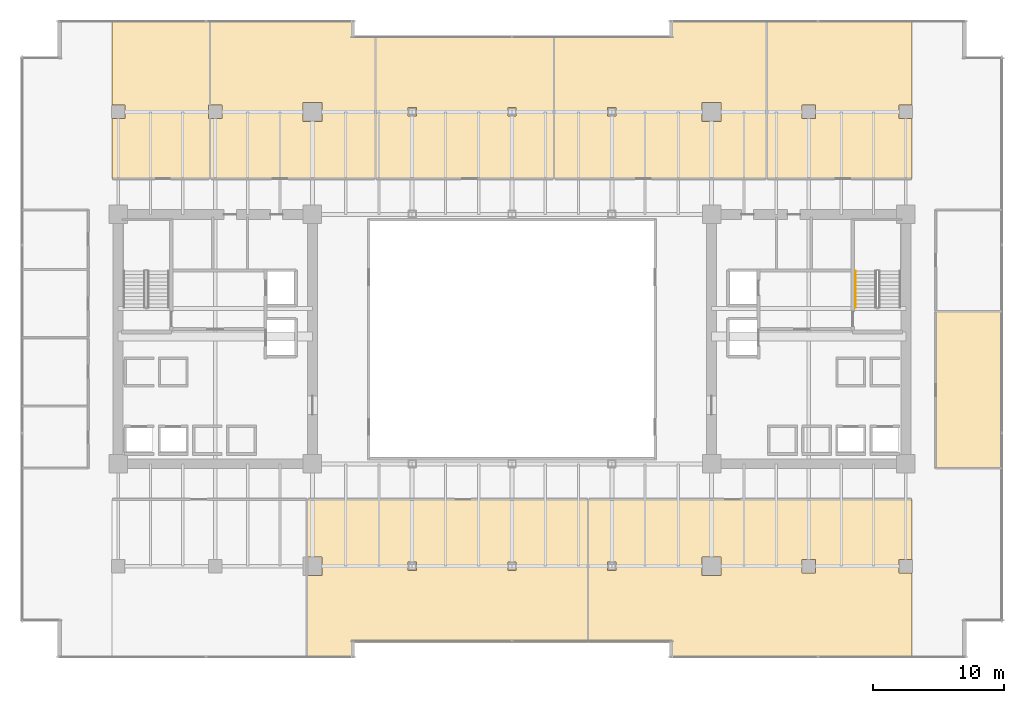
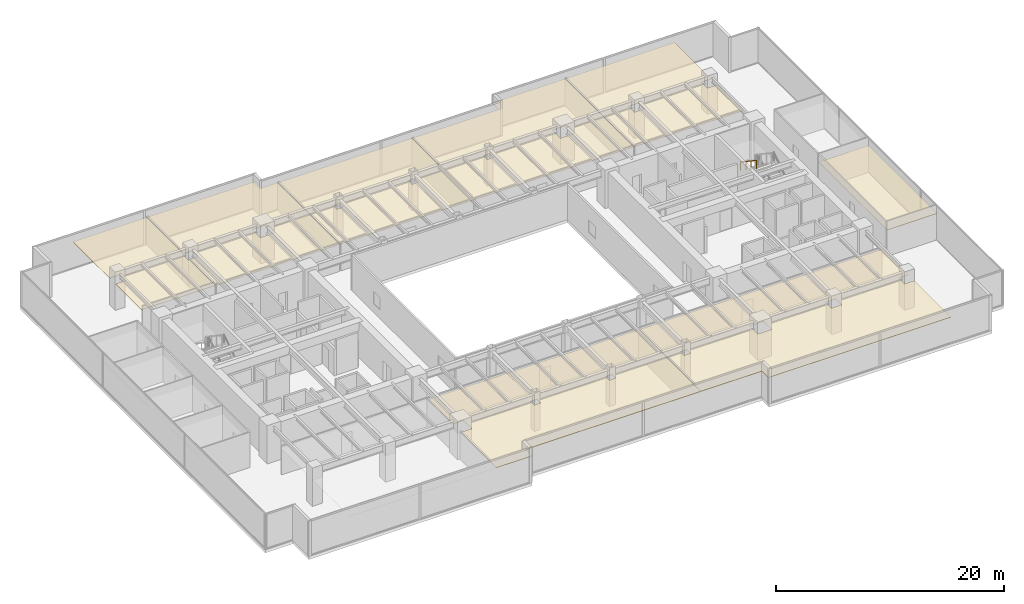
# One storey, part 35 of 36: 8 coverings, 1 railing.
"""IFC4 building model written with IfcOpenShell, lengths in metres."""

from ifc_helpers import new_model, si_unit, direction, frame, origin, origin_2d, place, context, subcontext, project, spatial, polyline, circle, outline, extrude, source, transform, mapped, material, layer, layer_set, type_object, type_shapes, element, save


model = new_model("IFC4")

# Units and contexts
model_context = context("Model", 3, precision=1e-05, world=origin(), true_north=direction((0.0, 1.0)))
body_context = subcontext(model_context, "Body", "Model", "MODEL_VIEW")
ifc_project = project(units=[si_unit("LENGTHUNIT", "METRE"), si_unit("AREAUNIT", "SQUARE_METRE"), si_unit("VOLUMEUNIT", "CUBIC_METRE"), si_unit("PLANEANGLEUNIT", "RADIAN"), si_unit("MASSUNIT", "GRAM", prefix="KILO")], contexts=[model_context])

# Site, building, storey
site_placement = place(None, origin())
site = spatial("IfcSite", under=ifc_project, at=site_placement, CompositionType="ELEMENT")
building_placement = place(site_placement, origin())
building = spatial("IfcBuilding", under=site, at=building_placement, Name="Haelvirn Gate Laboratories", CompositionType="ELEMENT")
storey_placement = place(building_placement, frame((0.0, 0.0, 53.89990234375)))
storey = spatial("IfcBuildingStorey", under=building, at=storey_placement, Name="L13", CompositionType="ELEMENT", Elevation=53.89990234375)

# Coverings
ifc_material_1 = material(Name="Washable cleanroom gasketed aluminium ceiling", Category="aluminium")
ifc_layer = layer(ifc_material_1, 0.050048828125, Name="COV-CEIL-CLN")
ifc_layer_set = layer_set([ifc_layer], Name="Washable cleanroom gasketed aluminium ceiling")
covering_type = type_object("IfcCoveringType", Name="COV-CEIL-CLN", PredefinedType="CEILING", material=ifc_layer_set)
covering_1_placement = place(storey_placement, frame((0.0, 0.0, 2.800048828125)))
element("IfcCovering", 1, at=covering_1_placement, inside=storey, type_object=covering_type, Name="L13 Laboratory Acoustic Ceiling CEIL-SP-L13-S-02", PredefinedType="CEILING", context=body_context, shape_type="SweptSolid", body=[
    extrude(outline(polyline([(43.179931640625, 1.179931640625), (25.419921875, 1.179931640625), (25.419921875, 0.050048828125), (21.820068359375, 0.050048828125), (21.820068359375, 6.280029296875), (22.919921875, 6.280029296875), (22.919921875, 7.719970703125), (21.820068359375, 7.719970703125), (21.820068359375, 12.080078125), (43.179931640625, 12.080078125), (43.179931640625, 1.179931640625)]), holes=[polyline([(29.47998046875, 7.320068359375), (29.47998046875, 6.679931640625), (30.1201171875, 6.679931640625), (30.1201171875, 7.320068359375), (29.47998046875, 7.320068359375)]), polyline([(37.719970703125, 7.320068359375), (37.080078125, 7.320068359375), (37.080078125, 6.679931640625), (37.719970703125, 6.679931640625), (37.719970703125, 7.320068359375)])]), origin(), (0.0, 0.0, 1.0), 0.050048828125),
])
covering_2_placement = place(storey_placement, frame((0.0, 0.0, 2.800048828125)))
element("IfcCovering", 2, at=covering_2_placement, inside=storey, type_object=covering_type, Name="L13 Laboratory Acoustic Ceiling CEIL-SP-L13-S-03", PredefinedType="CEILING", context=body_context, shape_type="SweptSolid", body=[
    extrude(outline(polyline([(67.8798828125, 7.52001953125), (66.8798828125, 7.52001953125), (66.8798828125, 6.47998046875), (67.8798828125, 6.47998046875), (67.8798828125, 0.050048828125), (49.3798828125, 0.050048828125), (49.3798828125, 1.179931640625), (43.219970703125, 1.179931640625), (43.219970703125, 12.080078125), (67.8798828125, 12.080078125), (67.8798828125, 7.52001953125)]), holes=[polyline([(53.320068359375, 6.280029296875), (53.320068359375, 7.719970703125), (51.8798828125, 7.719970703125), (51.8798828125, 6.280029296875), (53.320068359375, 6.280029296875)]), polyline([(59.47998046875, 6.47998046875), (60.52001953125, 6.47998046875), (60.52001953125, 7.52001953125), (59.47998046875, 7.52001953125), (59.47998046875, 6.47998046875)]), polyline([(45.320068359375, 7.320068359375), (44.679931640625, 7.320068359375), (44.679931640625, 6.679931640625), (45.320068359375, 6.679931640625), (45.320068359375, 7.320068359375)])]), origin(), (0.0, 0.0, 1.0), 0.050048828125),
])
covering_3_placement = place(storey_placement, frame((0.0, 0.0, 2.800048828125)))
element("IfcCovering", 3, at=covering_3_placement, inside=storey, type_object=covering_type, Name="L13 Laboratory Acoustic Ceiling CEIL-SP-L13-N-01", PredefinedType="CEILING", context=body_context, shape_type="SweptSolid", body=[
    extrude(outline(polyline([(6.919921875, 36.52001953125), (6.919921875, 41.080078125), (7.919921875, 41.080078125), (7.919921875, 42.1201171875), (6.919921875, 42.1201171875), (6.919921875, 48.550048828125), (14.3798828125, 48.550048828125), (14.3798828125, 42.1201171875), (14.280029296875, 42.1201171875), (14.280029296875, 41.080078125), (14.3798828125, 41.080078125), (14.3798828125, 36.52001953125), (6.919921875, 36.52001953125)])), origin(), (0.0, 0.0, 1.0), 0.050048828125),
])
covering_4_placement = place(storey_placement, frame((0.0, 0.0, 2.800048828125)))
element("IfcCovering", 4, at=covering_4_placement, inside=storey, type_object=covering_type, Name="L13 Laboratory Acoustic Ceiling CEIL-SP-L13-N-02", PredefinedType="CEILING", context=body_context, shape_type="SweptSolid", body=[
    extrude(outline(polyline([(25.419921875, 48.550048828125), (25.419921875, 47.419921875), (26.97998046875, 47.419921875), (26.97998046875, 36.52001953125), (14.419921875, 36.52001953125), (14.419921875, 41.080078125), (15.320068359375, 41.080078125), (15.320068359375, 42.1201171875), (14.419921875, 42.1201171875), (14.419921875, 48.550048828125), (25.419921875, 48.550048828125)]), holes=[polyline([(22.919921875, 42.320068359375), (21.47998046875, 42.320068359375), (21.47998046875, 40.8798828125), (22.919921875, 40.8798828125), (22.919921875, 42.320068359375)])]), origin(), (0.0, 0.0, 1.0), 0.050048828125),
])
covering_5_placement = place(storey_placement, frame((0.0, 0.0, 2.800048828125)))
element("IfcCovering", 5, at=covering_5_placement, inside=storey, type_object=covering_type, Name="L13 Laboratory Acoustic Ceiling CEIL-SP-L13-N-03", PredefinedType="CEILING", context=body_context, shape_type="SweptSolid", body=[
    extrude(outline(polyline([(27.02001953125, 36.52001953125), (27.02001953125, 47.419921875), (40.580078125, 47.419921875), (40.580078125, 36.52001953125), (27.02001953125, 36.52001953125)]), holes=[polyline([(29.47998046875, 41.919921875), (29.47998046875, 41.280029296875), (30.1201171875, 41.280029296875), (30.1201171875, 41.919921875), (29.47998046875, 41.919921875)]), polyline([(37.719970703125, 41.919921875), (37.080078125, 41.919921875), (37.080078125, 41.280029296875), (37.719970703125, 41.280029296875), (37.719970703125, 41.919921875)])]), origin(), (0.0, 0.0, 1.0), 0.050048828125),
])
covering_6_placement = place(storey_placement, frame((0.0, 0.0, 2.800048828125)))
element("IfcCovering", 6, at=covering_6_placement, inside=storey, type_object=covering_type, Name="L13 Laboratory Acoustic Ceiling CEIL-SP-L13-N-04", PredefinedType="CEILING", context=body_context, shape_type="SweptSolid", body=[
    extrude(outline(polyline([(49.3798828125, 48.550048828125), (56.780029296875, 48.550048828125), (56.780029296875, 36.52001953125), (40.6201171875, 36.52001953125), (40.6201171875, 47.419921875), (49.3798828125, 47.419921875), (49.3798828125, 48.550048828125)]), holes=[polyline([(51.8798828125, 42.320068359375), (51.8798828125, 40.8798828125), (53.320068359375, 40.8798828125), (53.320068359375, 42.320068359375), (51.8798828125, 42.320068359375)]), polyline([(45.320068359375, 41.919921875), (44.679931640625, 41.919921875), (44.679931640625, 41.280029296875), (45.320068359375, 41.280029296875), (45.320068359375, 41.919921875)])]), origin(), (0.0, 0.0, 1.0), 0.050048828125),
])
covering_7_placement = place(storey_placement, frame((0.0, 0.0, 2.800048828125)))
element("IfcCovering", 7, at=covering_7_placement, inside=storey, type_object=covering_type, Name="L13 Laboratory Acoustic Ceiling CEIL-SP-L13-N-05", PredefinedType="CEILING", context=body_context, shape_type="SweptSolid", body=[
    extrude(outline(polyline([(67.8798828125, 36.52001953125), (56.820068359375, 36.52001953125), (56.820068359375, 48.550048828125), (67.8798828125, 48.550048828125), (67.8798828125, 42.1201171875), (66.8798828125, 42.1201171875), (66.8798828125, 41.080078125), (67.8798828125, 41.080078125), (67.8798828125, 36.52001953125)]), holes=[polyline([(59.47998046875, 42.1201171875), (59.47998046875, 41.080078125), (60.52001953125, 41.080078125), (60.52001953125, 42.1201171875), (59.47998046875, 42.1201171875)])]), origin(), (0.0, 0.0, 1.0), 0.050048828125),
])
covering_8_placement = place(storey_placement, frame((0.0, 0.0, 2.800048828125)))
element("IfcCovering", 8, at=covering_8_placement, inside=storey, type_object=covering_type, Name="L13 Laboratory Acoustic Ceiling CEIL-SP-L13-ECELL-01", PredefinedType="CEILING", context=body_context, shape_type="SweptSolid", body=[
    extrude(outline(polyline([(69.679931640625, 26.39990234375), (74.75, 26.39990234375), (74.75, 14.405029296875), (69.679931640625, 14.405029296875), (69.679931640625, 26.39990234375)])), origin(), (0.0, 0.0, 1.0), 0.050048828125),
])

# Railing
ifc_material_2 = material(Name="Brushed stainless steel 316L", Category="steel")
railing_type = type_object("IfcRailingType", Name="RL-HAND-920", PredefinedType="HANDRAIL", material=ifc_material_2)
shared_shape = source(origin(), body_context, "Body", "SweptSolid", [
    extrude(circle(Radius=0.02392578125, at=origin_2d()), frame((0.0, 0.0, 0.8759765625), z_axis=(0.0, -0.832485552168, 0.554046753832), x_axis=(1.0, 0.0, 0.0)), (0.0, 0.0, 1.0), 3.363525390625),
    extrude(circle(Radius=0.02099609375, at=origin_2d()), origin(), (0.0, 0.0, 1.0), 0.851806640625),
    extrude(circle(Radius=0.02099609375, at=origin_2d()), frame((0.0, -0.933349609375, 0.62109375)), (0.0, 0.0, 1.0), 0.851806640625),
    extrude(circle(Radius=0.02099609375, at=origin_2d()), frame((0.0, -1.86669921875, 1.242431640625)), (0.0, 0.0, 1.0), 0.851806640625),
    extrude(circle(Radius=0.02099609375, at=origin_2d()), frame((0.0, -2.800048828125, 1.863525390625)), (0.0, 0.0, 1.0), 0.851806640625),
])
type_shapes(railing_type, [shared_shape])
railing_placement = place(storey_placement, frame((63.550048828125, 29.5, 2.236572265625)))
element("IfcRailing", 9, at=railing_placement, inside=storey, type_object=railing_type, Name="L13 ST2 stair handrail 2", PredefinedType="HANDRAIL", context=body_context, shape_type="MappedRepresentation", body=[
    mapped(shared_shape, transform((0.0, 0.0, 0.0), scale=1.0)),
])

save(model, "model.ifc")
